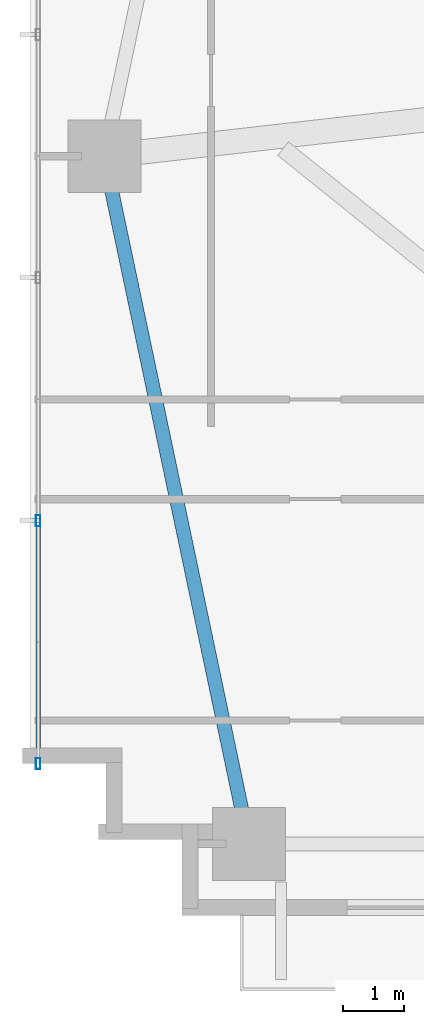
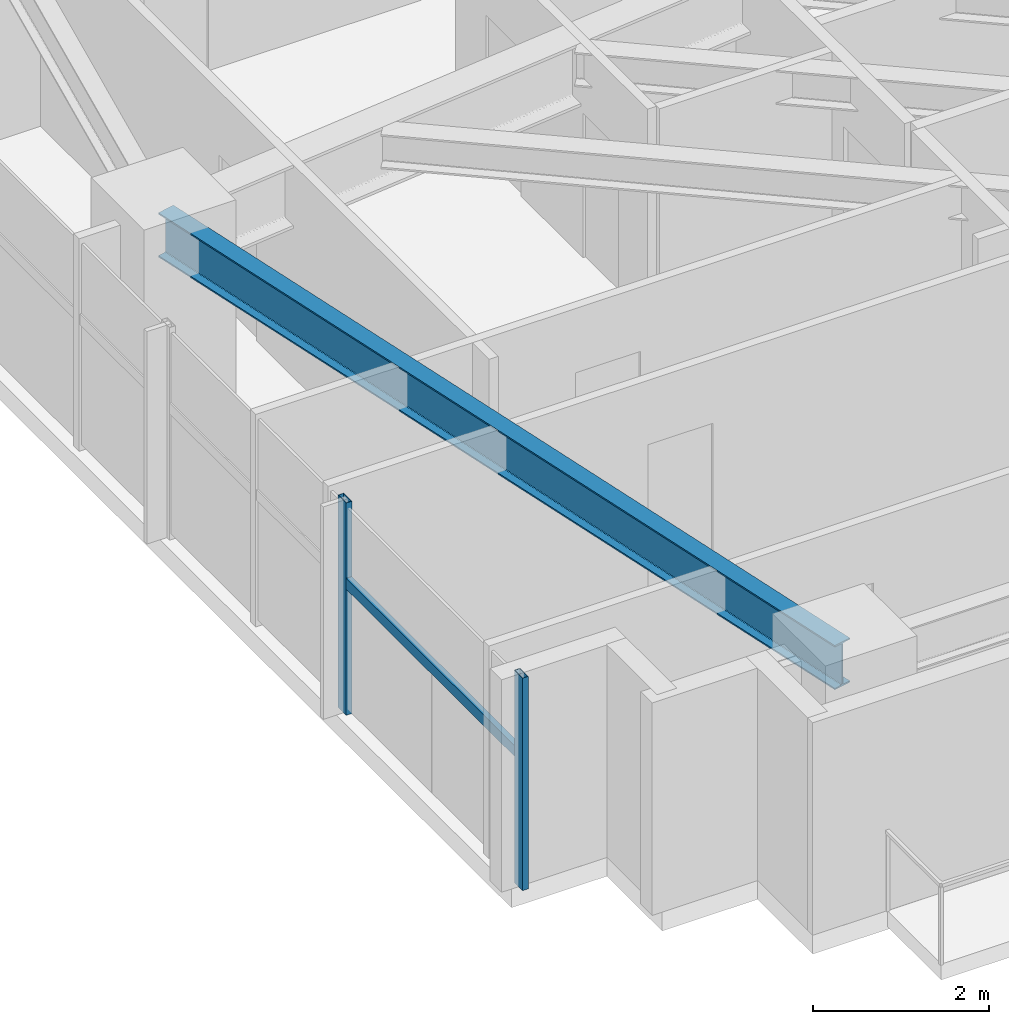
# One storey, part 2 of 25: 3 members, 1 beam, 1 element without a shape of its own.
"""IFC4 building model written with IfcOpenShell, lengths in metres."""

from ifc_helpers import new_model, si_unit, direction, frame, origin, origin_2d, place, context, subcontext, project, spatial, hollow_rectangle, i_section, extrude, source, transform, mapped, material, material_profile, profile_set, type_object, type_shapes, element, aggregate, save


model = new_model("IFC4")

# Units and contexts
model_context = context("Model", 3, precision=1e-05, world=origin(), true_north=direction((0.0, 1.0)))
body_context = subcontext(model_context, "Body", "Model", "MODEL_VIEW")
ifc_project = project(units=[si_unit("LENGTHUNIT", "METRE"), si_unit("AREAUNIT", "SQUARE_METRE"), si_unit("VOLUMEUNIT", "CUBIC_METRE"), si_unit("PLANEANGLEUNIT", "RADIAN"), si_unit("MASSUNIT", "GRAM", prefix="KILO")], contexts=[model_context])

# Site, building, storey
site_placement = place(None, origin())
site = spatial("IfcSite", under=ifc_project, at=site_placement, CompositionType="ELEMENT")
building_placement = place(site_placement, origin())
building = spatial("IfcBuilding", under=site, at=building_placement, Name="Astriad Promenade Condominiums", CompositionType="ELEMENT")
storey_placement = place(building_placement, frame((0.0, 0.0, 26.199951171875)))
storey = spatial("IfcBuildingStorey", under=building, at=storey_placement, Name="L06", CompositionType="ELEMENT", Elevation=26.199951171875)

# Beam
ifc_material_1 = material(Name="Steel ASTM A992 Grade 50", Category="steel")
ifc_material_profile_1 = material_profile(ifc_material_1, i_section(OverallWidth=0.22900390625, OverallDepth=0.612060546875, WebThickness=0.011962890625, FlangeThickness=0.01953125, FilletRadius=0.017822265625, at=origin_2d()), Name="W24X84")
ifc_profile_set_1 = profile_set([ifc_material_profile_1], Name="Steel ASTM A992 Grade 50")
beam_type = type_object("IfcBeamType", Name="STEEL SPANDREL BEAM W24X84", PredefinedType="SPANDREL", material=ifc_profile_set_1)
shared_shape_1 = source(origin(), body_context, "Body", "SweptSolid", [
    extrude(i_section(OverallWidth=0.22900390625, OverallDepth=0.612060546875, WebThickness=0.011962890625, FlangeThickness=0.01953125, FilletRadius=0.017822265625, at=origin_2d()), origin(), (0.0, 0.0, 1.0), 11.487548828125),
])
type_shapes(beam_type, [shared_shape_1])
beam_placement = place(storey_placement, frame((7.0283203125, 15.160888671875, 2.634033203125), z_axis=(0.205748055501, -0.978604995725, 0.0), x_axis=(0.978604995725, 0.205748055501, 0.0)))
element("IfcBeam", 1, at=beam_placement, inside=storey, type_object=beam_type, Name="Perimeter Spandrel Beam SP-W1-L06", PredefinedType="SPANDREL", context=body_context, shape_type="MappedRepresentation", body=[
    mapped(shared_shape_1, transform((0.0, 0.0, 0.0), scale=1.0)),
])

# Curtain wall, members
ifc_material_2 = material(Name="Anodised aluminium Black Dark Glass Unitised", Category="aluminium")
curtain_wall_type = type_object("IfcCurtainWallType", Name="CW-B1-DARK", PredefinedType="USERDEFINED", material=ifc_material_2)
curtain_wall_placement = place(storey_placement, origin())
curtain_wall = element("IfcCurtainWall", 2, at=curtain_wall_placement, inside=storey, type_object=curtain_wall_type, Name="CW-L06-W", ObjectType="UNITISED_CURTAIN_WALL", PredefinedType="USERDEFINED")
ifc_material_3 = material(Name="Anodised aluminium 6063-T6 Black", Category="aluminium")
ifc_material_profile_2 = material_profile(ifc_material_3, hollow_rectangle(XDim=0.074951171875, YDim=0.18505859375, WallThickness=0.00439453125, at=origin_2d()), Name="ALU-MUL-75X185")
ifc_profile_set_2 = profile_set([ifc_material_profile_2], Name="Anodised aluminium 6063-T6 Black")
member_type_1 = type_object("IfcMemberType", Name="MUL-ALU-MUL-75X185", PredefinedType="MULLION", material=ifc_profile_set_2)
shared_shape_2 = source(origin(), body_context, "Body", "SweptSolid", [
    extrude(hollow_rectangle(XDim=0.074951171875, YDim=0.18505859375, WallThickness=0.00439453125, at=origin_2d()), origin(), (0.0, 0.0, 1.0), 2.93994140625),
])
type_shapes(member_type_1, [shared_shape_2])
member_1_placement = place(storey_placement, frame((5.929931640625, 5.199951171875, 0.0), z_axis=(0.0, 0.0, 1.0), x_axis=(1.0, 0.0, 0.0)))
member_1 = element("IfcMember", 3, at=member_1_placement, type_object=member_type_1, Name="CW-L06-W-MUL-00", PredefinedType="MULLION", context=body_context, shape_type="MappedRepresentation", body=[
    mapped(shared_shape_2, transform((0.0, 0.0, 0.0), scale=1.0)),
])
member_2_placement = place(storey_placement, frame((5.929931640625, 9.199951171875, 0.0), z_axis=(0.0, 0.0, 1.0), x_axis=(1.0, 0.0, 0.0)))
member_2 = element("IfcMember", 4, at=member_2_placement, type_object=member_type_1, Name="CW-L06-W-MUL-01", PredefinedType="MULLION", context=body_context, shape_type="MappedRepresentation", body=[
    mapped(shared_shape_2, transform((0.0, 0.0, 0.0), scale=1.0)),
])
ifc_material_profile_3 = material_profile(ifc_material_3, hollow_rectangle(XDim=0.074951171875, YDim=0.14990234375, WallThickness=0.004150390625, at=origin_2d()), Name="ALU-TRN-75X150")
ifc_profile_set_3 = profile_set([ifc_material_profile_3], Name="Anodised aluminium 6063-T6 Black")
member_type_2 = type_object("IfcMemberType", Name="TRN-ALU-TRN-75X150", PredefinedType="USERDEFINED", material=ifc_profile_set_3)
shared_shape_3 = source(origin(), body_context, "Body", "SweptSolid", [
    extrude(hollow_rectangle(XDim=0.074951171875, YDim=0.14990234375, WallThickness=0.004150390625, at=origin_2d()), origin(), (0.0, 0.0, 1.0), 4.0),
])
type_shapes(member_type_2, [shared_shape_3])
member_3_placement = place(storey_placement, frame((5.929931640625, 5.199951171875, 1.82275390625), z_axis=(0.0, 1.0, 0.0), x_axis=(-1.0, 0.0, 0.0)))
member_3 = element("IfcMember", 5, at=member_3_placement, type_object=member_type_2, Name="CW-L06-W-TRN-00-0", ObjectType="TRANSOM", PredefinedType="USERDEFINED", context=body_context, shape_type="MappedRepresentation", body=[
    mapped(shared_shape_3, transform((0.0, 0.0, 0.0), scale=1.0)),
])
aggregate(curtain_wall, [member_1, member_2, member_3])

save(model, "model.ifc")
